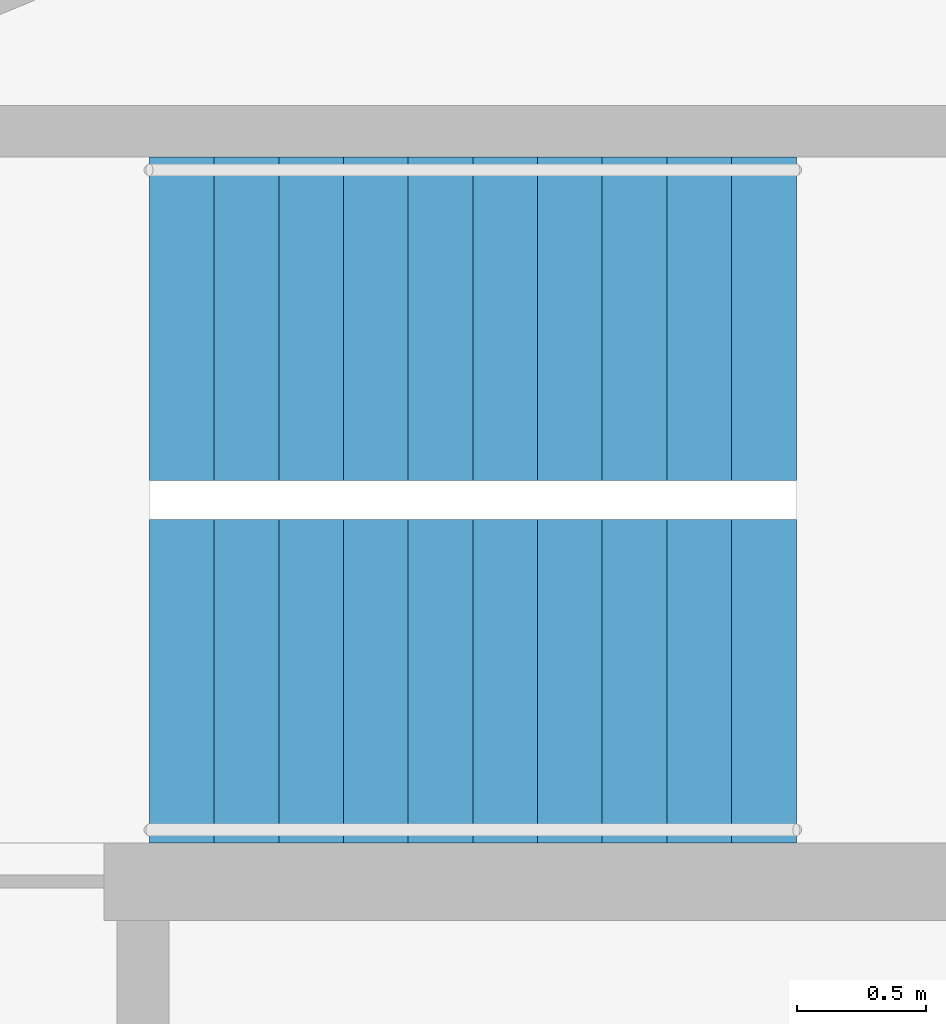
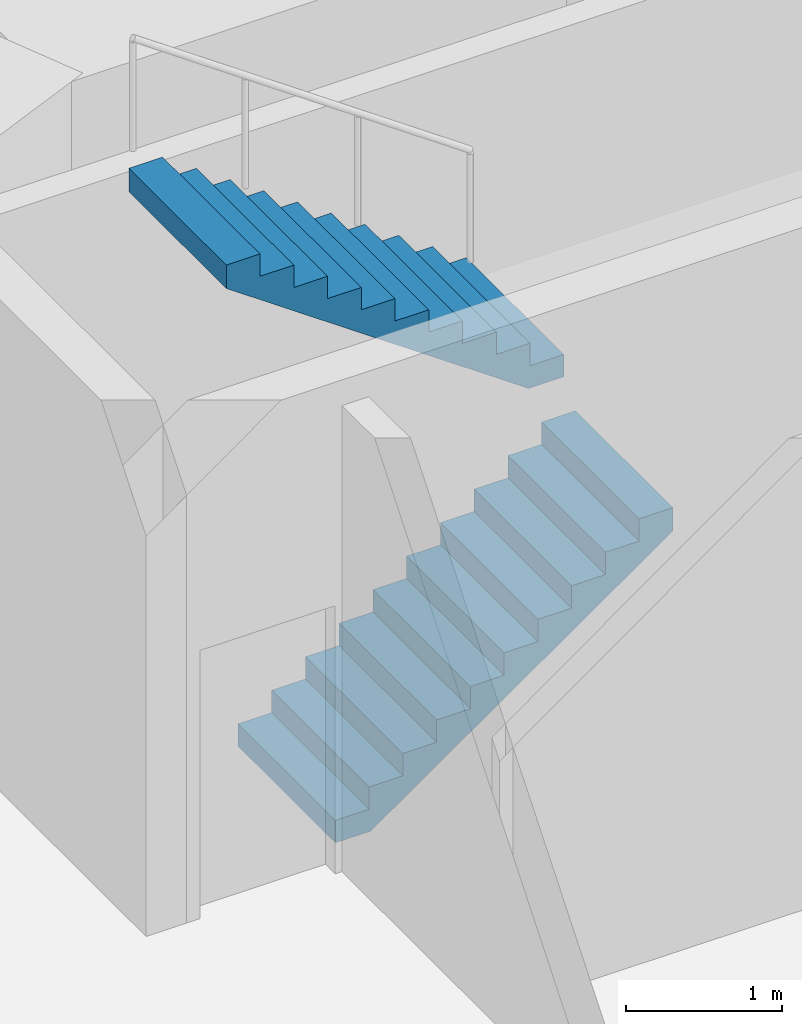
# One storey, part 11 of 13: 2 stair flights, 1 element without a shape of its own.
"""IFC4 building model written with IfcOpenShell, lengths in metres."""

from ifc_helpers import new_model, si_unit, direction, frame, origin, place, context, subcontext, project, spatial, polyline, outline, extrude, material, type_object, element, aggregate, save


model = new_model("IFC4")

# Units and contexts
model_context = context("Model", 3, precision=1e-05, world=origin(), true_north=direction((0.0, 1.0)))
body_context = subcontext(model_context, "Body", "Model", "MODEL_VIEW")
ifc_project = project(units=[si_unit("LENGTHUNIT", "METRE"), si_unit("AREAUNIT", "SQUARE_METRE"), si_unit("VOLUMEUNIT", "CUBIC_METRE"), si_unit("PLANEANGLEUNIT", "RADIAN"), si_unit("MASSUNIT", "GRAM", prefix="KILO")], contexts=[model_context])

# Site, building, storey
site_placement = place(None, origin())
site = spatial("IfcSite", under=ifc_project, at=site_placement, CompositionType="ELEMENT")
building_placement = place(site_placement, origin())
building = spatial("IfcBuilding", under=site, at=building_placement, Name="Nakasero Lantern House", CompositionType="ELEMENT")
storey_placement = place(building_placement, frame((0.0, 0.0, 161.050048828125)))
storey = spatial("IfcBuildingStorey", under=building, at=storey_placement, Name="L39", CompositionType="ELEMENT", Elevation=161.050048828125)

# Stair, stair flights
ifc_material_1 = material(Name="Concrete C40/50", Category="concrete")
stair_type = type_object("IfcStairType", Name="Escape stair ST1 22 risers", PredefinedType="HALF_TURN_STAIR", material=ifc_material_1)
stair_placement = place(storey_placement, origin())
stair = element("IfcStair", 1, at=stair_placement, inside=storey, type_object=stair_type, Name="Escape stair ST1 L39", PredefinedType="HALF_TURN_STAIR")
ifc_material_2 = material(Name="Concrete C40/50", Category="concrete")
stair_flight_type = type_object("IfcStairFlightType", Name="Escape stair flight", PredefinedType="STRAIGHT", material=ifc_material_2)
stair_flight_1_placement = place(storey_placement, frame((-1.875, 6.375, 0.0), z_axis=(0.0, 0.0, 1.0), x_axis=(1.0, 0.0, 0.0)))
stair_flight_1 = element("IfcStairFlight", 2, at=stair_flight_1_placement, type_object=stair_flight_type, Name="ST1 flight 1", NumberOfRisers=11, NumberOfTreads=10, PredefinedType="STRAIGHT", RiserHeight=0.175, TreadLength=0.25, context=body_context, shape_type="SweptSolid", body=[
    extrude(outline(polyline([(0.0, 0.0), (0.0, 0.175048828125), (0.25, 0.175048828125), (0.25, 0.35009765625), (0.5, 0.35009765625), (0.5, 0.52490234375), (0.75, 0.52490234375), (0.75, 0.699951171875), (1.0, 0.699951171875), (1.0, 0.875), (1.25, 0.875), (1.25, 1.050048828125), (1.5, 1.050048828125), (1.5, 1.22509765625), (1.75, 1.22509765625), (1.75, 1.39990234375), (2.0, 1.39990234375), (2.0, 1.574951171875), (2.25, 1.574951171875), (2.25, 1.75), (2.5, 1.75), (2.5, 1.925048828125), (2.5, 1.567138671875), (0.261474609375, 0.0), (0.0, 0.0)])), frame((0.0, 0.625, 0.0), z_axis=(0.0, -1.0, 0.0), x_axis=(1.0, 0.0, 0.0)), (0.0, 0.0, 1.0), 1.25),
])
stair_flight_2_placement = place(storey_placement, frame((0.625, 7.77490234375, 1.925048828125), z_axis=(0.0, 0.0, 1.0), x_axis=(-1.0, 0.0, 0.0)))
stair_flight_2 = element("IfcStairFlight", 3, at=stair_flight_2_placement, type_object=stair_flight_type, Name="ST1 flight 2", NumberOfRisers=11, NumberOfTreads=10, PredefinedType="STRAIGHT", RiserHeight=0.175, TreadLength=0.25, context=body_context, shape_type="SweptSolid", body=[
    extrude(outline(polyline([(0.0, 0.0), (0.0, 0.175048828125), (0.25, 0.175048828125), (0.25, 0.35009765625), (0.5, 0.35009765625), (0.5, 0.52490234375), (0.75, 0.52490234375), (0.75, 0.699951171875), (1.0, 0.699951171875), (1.0, 0.875), (1.25, 0.875), (1.25, 1.050048828125), (1.5, 1.050048828125), (1.5, 1.22509765625), (1.75, 1.22509765625), (1.75, 1.39990234375), (2.0, 1.39990234375), (2.0, 1.574951171875), (2.25, 1.574951171875), (2.25, 1.75), (2.5, 1.75), (2.5, 1.925048828125), (2.5, 1.567138671875), (0.261474609375, 0.0), (0.0, 0.0)])), frame((0.0, 0.625, 0.0), z_axis=(0.0, -1.0, 0.0), x_axis=(1.0, 0.0, 0.0)), (0.0, 0.0, 1.0), 1.25),
])
aggregate(stair, [stair_flight_1, stair_flight_2])

save(model, "model.ifc")
